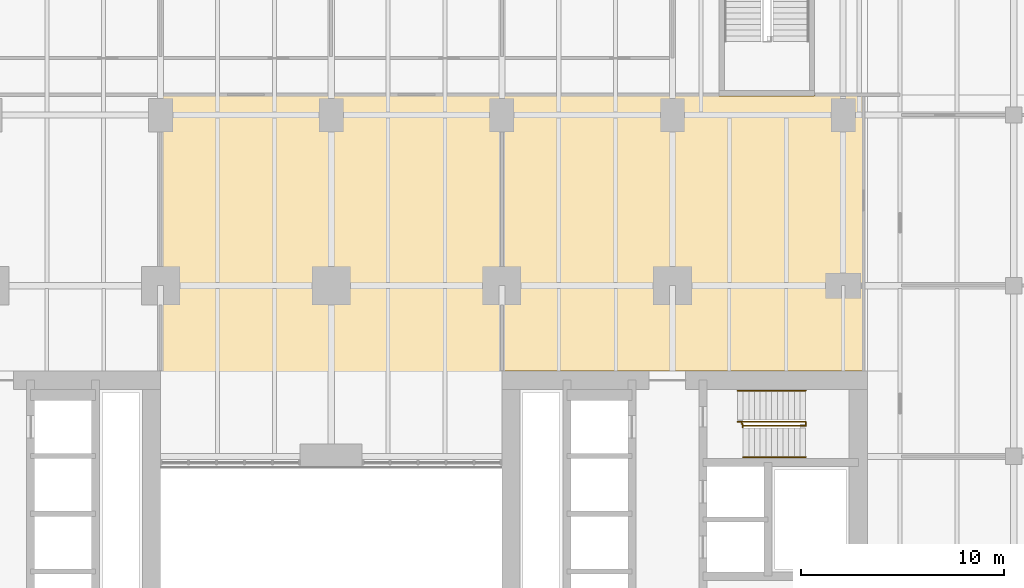
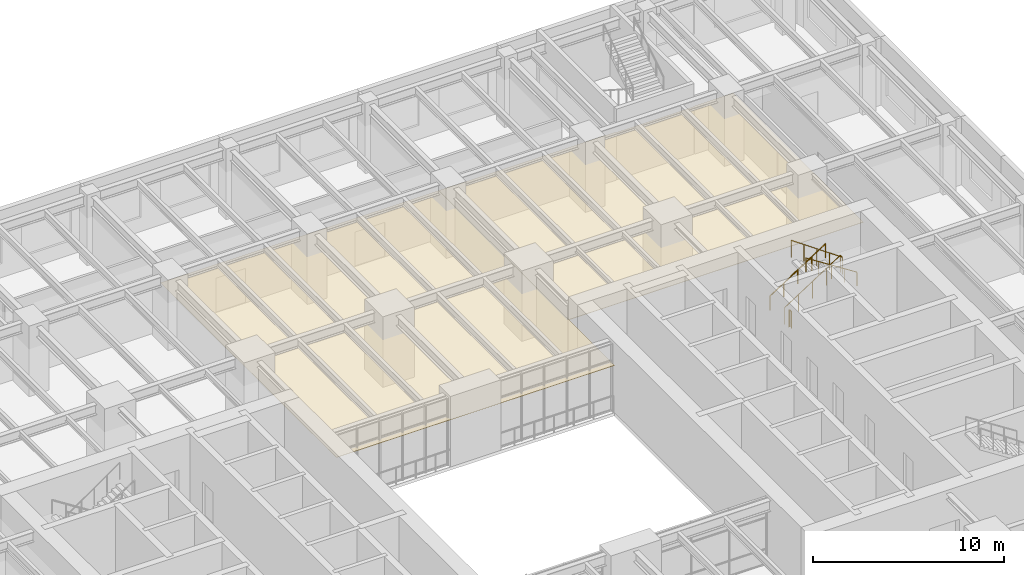
# One storey, part 22 of 26: 4 railings, 2 coverings.
"""IFC4 building model written with IfcOpenShell, lengths in metres."""

import ifcopenshell
import ifcopenshell.guid

model = None  # the IFC model being written
_history = None  # IfcOwnerHistory: only IFC2X3 demands one
_inside = {}  # id of a spatial element -> (the spatial element, [elements in it])
_under = {}  # id of a project, library or spatial element -> (it, [spatial elements below it])
_declared = {}  # id of a project -> (the project, [libraries it declares])
_typed = {}  # id of a type object -> (the type object, [elements of that type])
_made_of = {}  # id of a material, layer set ... -> (it, [elements and type objects made of it])


def new_model(schema):
    """Start an empty IFC model of exactly this schema.

    Asked for "IFC4X3", IfcOpenShell would pick the latest addendum, in which some entities
    have other attributes; the version numbers below select the first issue.
    IFC2X3 requires an IfcOwnerHistory on every rooted entity: one is made here for all.
    """
    global model, _history
    if schema == "IFC4X3":
        model = ifcopenshell.file(schema_version=(4, 3, 0, 0))
    else:
        model = ifcopenshell.file(schema=schema)
    _inside.clear()
    _under.clear()
    _declared.clear()
    _typed.clear()
    _made_of.clear()
    _history = None
    if model.schema == "IFC2X3":
        org = make("IfcOrganization", Name="unknown")
        user = make(
            "IfcPersonAndOrganization",
            ThePerson=make("IfcPerson", FamilyName="unknown"),
            TheOrganization=org,
        )
        app = make(
            "IfcApplication",
            ApplicationDeveloper=org,
            Version="unknown",
            ApplicationFullName="unknown",
            ApplicationIdentifier="unknown",
        )
        _history = make(
            "IfcOwnerHistory",
            OwningUser=user,
            OwningApplication=app,
            ChangeAction="ADDED",
            CreationDate=0,
        )
    return model


def make(cls, **values):
    """One entity of the class cls with the attributes given. An attribute that is None is left unset."""
    return model.create_entity(
        cls, **{name: value for name, value in values.items() if value is not None}
    )


def rooted(cls, **values):
    """An entity with a GlobalId (a new one), such as an element, a storey or a relation."""
    return make(cls, GlobalId=ifcopenshell.guid.new(), OwnerHistory=_history, **values)


def si_unit(unit_type, name, prefix=None):
    """IfcSIUnit, for example si_unit("LENGTHUNIT", "METRE", prefix="MILLI")."""
    return make("IfcSIUnit", UnitType=unit_type, Prefix=prefix, Name=name)


def assignment(units):
    """IfcUnitAssignment: the units of a project."""
    return None if units is None else make("IfcUnitAssignment", Units=units)


def point(xyz):
    """IfcCartesianPoint."""
    return None if xyz is None else make("IfcCartesianPoint", Coordinates=xyz)


def direction(xyz):
    """IfcDirection."""
    return None if xyz is None else make("IfcDirection", DirectionRatios=xyz)


def frame(location, z_axis=None, x_axis=None):
    """IfcAxis2Placement3D, a coordinate frame: its origin and axes. An axis left out is left unset."""
    return make(
        "IfcAxis2Placement3D",
        Location=point(location),
        Axis=direction(z_axis),
        RefDirection=direction(x_axis),
    )


def frame_2d(location, x_axis=None):
    """IfcAxis2Placement2D, a coordinate frame in the plane: its origin and x axis."""
    return make(
        "IfcAxis2Placement2D", Location=point(location), RefDirection=direction(x_axis)
    )


def origin():
    """The frame at (0, 0, 0) with its axes left unset."""
    return frame((0.0, 0.0, 0.0))


def origin_2d():
    """The frame at (0, 0) in the plane with its x axis left unset."""
    return frame_2d((0.0, 0.0))


def place(relative_to, where):
    """IfcLocalPlacement: puts the frame where relative to a parent placement (None: the world)."""
    return make(
        "IfcLocalPlacement", PlacementRelTo=relative_to, RelativePlacement=where
    )


def context(
    kind, dimensions, precision=None, world=None, true_north=None, identifier=None
):
    """IfcGeometricRepresentationContext, for example the 3D "Model" context."""
    return make(
        "IfcGeometricRepresentationContext",
        ContextIdentifier=identifier,
        ContextType=kind,
        CoordinateSpaceDimension=dimensions,
        Precision=precision,
        WorldCoordinateSystem=world,
        TrueNorth=true_north,
    )


def subcontext(parent, identifier, kind, view, scale=None):
    """IfcGeometricRepresentationSubContext, for example "Body" below "Model"."""
    return make(
        "IfcGeometricRepresentationSubContext",
        ContextIdentifier=identifier,
        ContextType=kind,
        ParentContext=parent,
        TargetScale=scale,
        TargetView=view,
    )


def project(units=None, contexts=None):
    """IfcProject with its units and contexts."""
    return rooted(
        "IfcProject",
        Name="project",
        RepresentationContexts=contexts,
        UnitsInContext=assignment(units),
    )


def spatial(cls, under=None, at=None, **own):
    """A site, building, storey or space (cls), placed at a placement, below another one or the project."""
    s = rooted(cls, ObjectPlacement=at, **own)
    if under is not None:
        _under.setdefault(under.id(), (under, []))[1].append(s)
    return s


def polyline(points):
    """IfcPolyline through the points."""
    return make("IfcPolyline", Points=[point(p) for p in points])


def profile(cls, at=None, kind="AREA", **sizes):
    """A parametric profile (cls). Its sizes go by their IFC names, for example OverallWidth=200.0."""
    return make(cls, ProfileType=kind, Position=at, **sizes)


def circle(**sizes):
    """IfcCircleProfileDef."""
    return profile("IfcCircleProfileDef", **sizes)


def outline(outer, holes=None, kind="AREA"):
    """IfcArbitraryClosedProfileDef: a profile drawn as a closed curve; with holes, ...WithVoids."""
    if holes is None:
        return make("IfcArbitraryClosedProfileDef", ProfileType=kind, OuterCurve=outer)
    return make(
        "IfcArbitraryProfileDefWithVoids",
        ProfileType=kind,
        OuterCurve=outer,
        InnerCurves=holes,
    )


def extrude(swept, where, along, depth):
    """IfcExtrudedAreaSolid: the profile swept, set in the frame where, extruded along a direction by depth."""
    return make(
        "IfcExtrudedAreaSolid",
        SweptArea=swept,
        Position=where,
        ExtrudedDirection=direction(along),
        Depth=depth,
    )


def shape(context_of_items, identifier, shape_type, items):
    """IfcShapeRepresentation: the items that make up one representation, for example the "Body"."""
    return make(
        "IfcShapeRepresentation",
        ContextOfItems=context_of_items,
        RepresentationIdentifier=identifier,
        RepresentationType=shape_type,
        Items=items,
    )


def material(Name=None, Category=None):
    """IfcMaterial."""
    return make("IfcMaterial", Name=Name, Category=Category)


def layer(
    of_material, thickness, ventilated=None, Name=None, Category=None, Priority=None
):
    """IfcMaterialLayer: one layer of a wall or slab, of a material (None: an air gap)."""
    return make(
        "IfcMaterialLayer",
        Material=of_material,
        LayerThickness=thickness,
        IsVentilated=ventilated,
        Name=Name,
        Category=Category,
        Priority=Priority,
    )


def layer_set(layers, Name=None):
    """IfcMaterialLayerSet."""
    return make("IfcMaterialLayerSet", MaterialLayers=layers, LayerSetName=Name)


def made_of(thing, what):
    """Note that an element or type object is made of a material, layer set ...; save() writes the relation."""
    if what is not None:
        _made_of.setdefault(what.id(), (what, []))[1].append(thing)
    return thing


def type_object(cls, material=None, **own):
    """A type object (cls), such as IfcWallType, which elements share."""
    return made_of(rooted(cls, **own), material)


def element(
    cls,
    number,
    at=None,
    inside=None,
    cuts=None,
    type_object=None,
    material=None,
    context=None,
    identifier="Body",
    shape_type=None,
    held_by="IfcProductDefinitionShape",
    body=None,
    shapes=None,
    **own,
):
    """One element of the class cls, such as IfcWall. Its Tag is "e" and its number.

    at: its placement. inside: the storey or other place that contains it. cuts: it is an
    opening in that element (IfcRelVoidsElement). A single representation is given by context,
    identifier, shape_type and body (its items); several are given by shapes. held_by: the class
    of the entity that holds the representations. save() writes the other relations.
    """
    e = rooted(cls, Tag="e%d" % number, ObjectPlacement=at, **own)
    if body is not None:
        shapes = [shape(context, identifier, shape_type, body)]
    if shapes is not None:
        e.Representation = make(held_by, Representations=shapes)
    if inside is not None:
        _inside.setdefault(inside.id(), (inside, []))[1].append(e)
    if cuts is not None:
        rooted(
            "IfcRelVoidsElement", RelatingBuildingElement=cuts, RelatedOpeningElement=e
        )
    if type_object is not None:
        _typed.setdefault(type_object.id(), (type_object, []))[1].append(e)
    return made_of(e, material)


def aggregate(whole, parts):
    """IfcRelAggregates: a whole, such as a stair, and the parts it consists of."""
    return rooted("IfcRelAggregates", RelatingObject=whole, RelatedObjects=parts)


def save(model, path):
    """Write the relations noted so far, then the file.

    IfcRelAggregates (storeys below a building ...), IfcRelContainedInSpatialStructure (elements
    in a storey), IfcRelDefinesByType, IfcRelAssociatesMaterial and IfcRelDeclares: one each for
    every whole, place, type object, material and project.
    """
    for whole, parts in _under.values():
        aggregate(whole, parts)
    for where, things in _inside.values():
        rooted(
            "IfcRelContainedInSpatialStructure",
            RelatedElements=things,
            RelatingStructure=where,
        )
    for kind, things in _typed.values():
        rooted("IfcRelDefinesByType", RelatedObjects=things, RelatingType=kind)
    for what, things in _made_of.values():
        rooted("IfcRelAssociatesMaterial", RelatedObjects=things, RelatingMaterial=what)
    for by, libraries in _declared.values():
        rooted("IfcRelDeclares", RelatingContext=by, RelatedDefinitions=libraries)
    model.write(path)


model = new_model("IFC4")

# Units and contexts
model_context = context("Model", 3, precision=1e-05, world=origin(), true_north=direction((0.0, 1.0)))
body_context = subcontext(model_context, "Body", "Model", "MODEL_VIEW")
ifc_project = project(units=[si_unit("LENGTHUNIT", "METRE"), si_unit("AREAUNIT", "SQUARE_METRE"), si_unit("VOLUMEUNIT", "CUBIC_METRE"), si_unit("PLANEANGLEUNIT", "RADIAN"), si_unit("MASSUNIT", "GRAM", prefix="KILO")], contexts=[model_context])

# Site, building, storey
site_placement = place(None, origin())
site = spatial("IfcSite", under=ifc_project, at=site_placement, CompositionType="ELEMENT")
building_placement = place(site_placement, origin())
building = spatial("IfcBuilding", under=site, at=building_placement, Name="Claustro Exchange Tower", CompositionType="ELEMENT")
storey_placement = place(building_placement, frame((0.0, 0.0, 9.89990234375)))
storey = spatial("IfcBuildingStorey", under=building, at=storey_placement, Name="L02", CompositionType="ELEMENT", Elevation=9.89990234375)

# Coverings
ifc_material_1 = material(Name="Gypsum board ceiling", Category="gypsum board")
ifc_layer = layer(ifc_material_1, 0.02490234375)
ifc_layer_set = layer_set([ifc_layer], Name="Gypsum board ceiling")
covering_type = type_object("IfcCoveringType", Name="CL2 plasterboard ceiling", PredefinedType="CEILING", material=ifc_layer_set)
covering_1_placement = place(storey_placement, frame((0.0, 0.0, 3.0)))
element("IfcCovering", 1, at=covering_1_placement, inside=storey, type_object=covering_type, Name="Ceiling CL2 L02-18", PredefinedType="CEILING", context=body_context, shape_type="SweptSolid", body=[
    extrude(outline(polyline([(16.800048828125, 33.0), (33.60009765625, 33.0), (33.60009765625, 37.800048828125), (33.60009765625, 51.39990234375), (16.800048828125, 51.39990234375), (16.800048828125, 37.800048828125), (16.800048828125, 33.0)])), origin(), (0.0, 0.0, 1.0), 0.025146484375),
])
covering_2_placement = place(storey_placement, frame((0.0, 0.0, 3.0)))
element("IfcCovering", 2, at=covering_2_placement, inside=storey, type_object=covering_type, Name="Ceiling CL2 L02-20", PredefinedType="CEILING", context=body_context, shape_type="SweptSolid", body=[
    extrude(outline(polyline([(33.60009765625, 37.800048828125), (51.39990234375, 37.800048828125), (51.39990234375, 51.39990234375), (49.0, 51.39990234375), (49.0, 51.35009765625), (44.300048828125, 51.35009765625), (44.300048828125, 51.39990234375), (33.60009765625, 51.39990234375), (33.60009765625, 37.800048828125)])), origin(), (0.0, 0.0, 1.0), 0.025146484375),
])

# Railings
ifc_material_2 = material(Name="Steel balustrade, painted", Category="steel")
railing_type_1 = type_object("IfcRailingType", Name="GR2 1100 steel stair guard", PredefinedType="GUARDRAIL", material=ifc_material_2)
railing_1_placement = place(storey_placement, frame((45.199951171875, 35.300048828125, 0.18017578125)))
element("IfcRailing", 3, at=railing_1_placement, inside=storey, type_object=railing_type_1, Name="Stair well guard GR2 stair STEB L02", PredefinedType="GUARDRAIL", context=body_context, shape_type="SweptSolid", body=[
    extrude(circle(Radius=0.02392578125, at=origin_2d()), frame((0.0, 0.0, 1.076171875), z_axis=(0.84119634759, 0.0, 0.540729789082), x_axis=(0.0, 1.0, 0.0)), (0.0, 0.0, 1.0), 3.994384765625),
    extrude(circle(Radius=0.02392578125, at=origin_2d()), frame((3.360107421875, 0.0, 3.23583984375), z_axis=(0.0, -1.0, 0.0), x_axis=(1.0, 0.0, 0.0)), (0.0, 0.0, 1.0), 0.199951171875),
    extrude(circle(Radius=0.02392578125, at=origin_2d()), frame((3.360107421875, -0.199951171875, 3.23583984375), z_axis=(-0.8187499073, 0.0, 0.574150319426), x_axis=(0.0, -1.0, 0.0)), (0.0, 0.0, 1.0), 3.761962890625),
    extrude(circle(Radius=0.02099609375, at=origin_2d()), origin(), (0.0, 0.0, 1.0), 1.052001953125),
    extrude(circle(Radius=0.02099609375, at=origin_2d()), frame((0.840087890625, 0.0, 0.5400390625)), (0.0, 0.0, 1.0), 1.052001953125),
    extrude(circle(Radius=0.02099609375, at=origin_2d()), frame((1.68017578125, 0.0, 1.080078125)), (0.0, 0.0, 1.0), 1.052001953125),
    extrude(circle(Radius=0.02099609375, at=origin_2d()), frame((2.52001953125, 0.0, 1.619873046875)), (0.0, 0.0, 1.0), 1.052001953125),
    extrude(circle(Radius=0.02099609375, at=origin_2d()), frame((3.360107421875, 0.0, 2.159912109375)), (0.0, 0.0, 1.0), 1.052001953125),
    extrude(circle(Radius=0.02099609375, at=origin_2d()), frame((3.360107421875, -0.199951171875, 2.159912109375)), (0.0, 0.0, 1.0), 1.052001953125),
    extrude(circle(Radius=0.02099609375, at=origin_2d()), frame((2.590087890625, -0.199951171875, 2.699951171875)), (0.0, 0.0, 1.0), 1.052001953125),
    extrude(circle(Radius=0.02099609375, at=origin_2d()), frame((1.820068359375, -0.199951171875, 3.23974609375)), (0.0, 0.0, 1.0), 1.052001953125),
    extrude(circle(Radius=0.02099609375, at=origin_2d()), frame((1.050048828125, -0.199951171875, 3.77978515625)), (0.0, 0.0, 1.0), 1.052001953125),
    extrude(circle(Radius=0.02099609375, at=origin_2d()), frame((0.280029296875, -0.199951171875, 4.31982421875)), (0.0, 0.0, 1.0), 1.052001953125),
])
railing_2_placement = place(storey_placement, frame((45.39990234375, 35.22998046875, 0.0)))
element("IfcRailing", 4, at=railing_2_placement, inside=storey, type_object=railing_type_1, Name="Stair guard GR2 STEB L02", PredefinedType="GUARDRAIL", context=body_context, shape_type="SweptSolid", body=[
    extrude(circle(Radius=0.02392578125, at=origin_2d()), frame((0.0, 0.0, 1.076171875), z_axis=(0.0, -1.0, 0.0), x_axis=(1.0, 0.0, 0.0)), (0.0, 0.0, 1.0), 0.030029296875),
    extrude(circle(Radius=0.02392578125, at=origin_2d()), frame((0.0, -0.030029296875, 1.076171875), z_axis=(1.0, 0.0, 0.0), x_axis=(0.0, 1.0, 0.0)), (0.0, 0.0, 1.0), 0.05517578125),
    extrude(circle(Radius=0.02392578125, at=origin_2d()), frame((0.05517578125, -0.030029296875, 1.076171875), z_axis=(0.0, -1.0, 0.0), x_axis=(1.0, 0.0, 0.0)), (0.0, 0.0, 1.0), 0.179931640625),
    extrude(circle(Radius=0.02099609375, at=origin_2d()), origin(), (0.0, 0.0, 1.0), 1.052001953125),
    extrude(circle(Radius=0.02099609375, at=origin_2d()), frame((0.0, -0.030029296875, 0.0)), (0.0, 0.0, 1.0), 1.052001953125),
    extrude(circle(Radius=0.02099609375, at=origin_2d()), frame((0.05517578125, -0.030029296875, 0.0)), (0.0, 0.0, 1.0), 1.052001953125),
    extrude(circle(Radius=0.02099609375, at=origin_2d()), frame((0.05517578125, -0.2099609375, 0.0)), (0.0, 0.0, 1.0), 1.052001953125),
])
ifc_material_3 = material(Name="Stainless steel tube", Category="steel")
railing_type_2 = type_object("IfcRailingType", Name="HR1 900 stair handrail", PredefinedType="HANDRAIL", material=ifc_material_3)
railing_3_placement = place(storey_placement, frame((45.199951171875, 36.840087890625, 0.18017578125)))
element("IfcRailing", 5, at=railing_3_placement, inside=storey, type_object=railing_type_2, Name="Handrail HR1 stair STEB L02", PredefinedType="HANDRAIL", context=body_context, shape_type="SweptSolid", body=[
    extrude(circle(Radius=0.02392578125, at=origin_2d()), frame((0.0, 0.0, 0.8759765625), z_axis=(0.84119634759, 0.0, 0.540729789082), x_axis=(0.0, 1.0, 0.0)), (0.0, 0.0, 1.0), 3.994384765625),
    extrude(circle(Radius=0.02099609375, at=origin_2d()), origin(), (0.0, 0.0, 1.0), 0.851806640625),
    extrude(circle(Radius=0.02099609375, at=origin_2d()), frame((0.840087890625, 0.0, 0.5400390625)), (0.0, 0.0, 1.0), 0.851806640625),
    extrude(circle(Radius=0.02099609375, at=origin_2d()), frame((1.68017578125, 0.0, 1.080078125)), (0.0, 0.0, 1.0), 0.851806640625),
    extrude(circle(Radius=0.02099609375, at=origin_2d()), frame((2.52001953125, 0.0, 1.619873046875)), (0.0, 0.0, 1.0), 0.851806640625),
    extrude(circle(Radius=0.02099609375, at=origin_2d()), frame((3.360107421875, 0.0, 2.159912109375)), (0.0, 0.0, 1.0), 0.851806640625),
])
railing_4_placement = place(storey_placement, frame((48.56005859375, 33.56005859375, 2.52001953125)))
element("IfcRailing", 6, at=railing_4_placement, inside=storey, type_object=railing_type_2, Name="Handrail HR1 stair STEB L02", PredefinedType="HANDRAIL", context=body_context, shape_type="SweptSolid", body=[
    extrude(circle(Radius=0.02392578125, at=origin_2d()), frame((0.0, 0.0, 0.8759765625), z_axis=(-0.84118714077, 0.0, 0.540744111576), x_axis=(0.0, -1.0, 0.0)), (0.0, 0.0, 1.0), 3.66162109375),
    extrude(circle(Radius=0.02099609375, at=origin_2d()), origin(), (0.0, 0.0, 1.0), 0.851806640625),
    extrude(circle(Radius=0.02099609375, at=origin_2d()), frame((-0.77001953125, 0.0, 0.4951171875)), (0.0, 0.0, 1.0), 0.851806640625),
    extrude(circle(Radius=0.02099609375, at=origin_2d()), frame((-1.5400390625, 0.0, 0.989990234375)), (0.0, 0.0, 1.0), 0.851806640625),
    extrude(circle(Radius=0.02099609375, at=origin_2d()), frame((-2.31005859375, 0.0, 1.48486328125)), (0.0, 0.0, 1.0), 0.851806640625),
    extrude(circle(Radius=0.02099609375, at=origin_2d()), frame((-3.080078125, 0.0, 1.97998046875)), (0.0, 0.0, 1.0), 0.851806640625),
])

save(model, "model.ifc")
